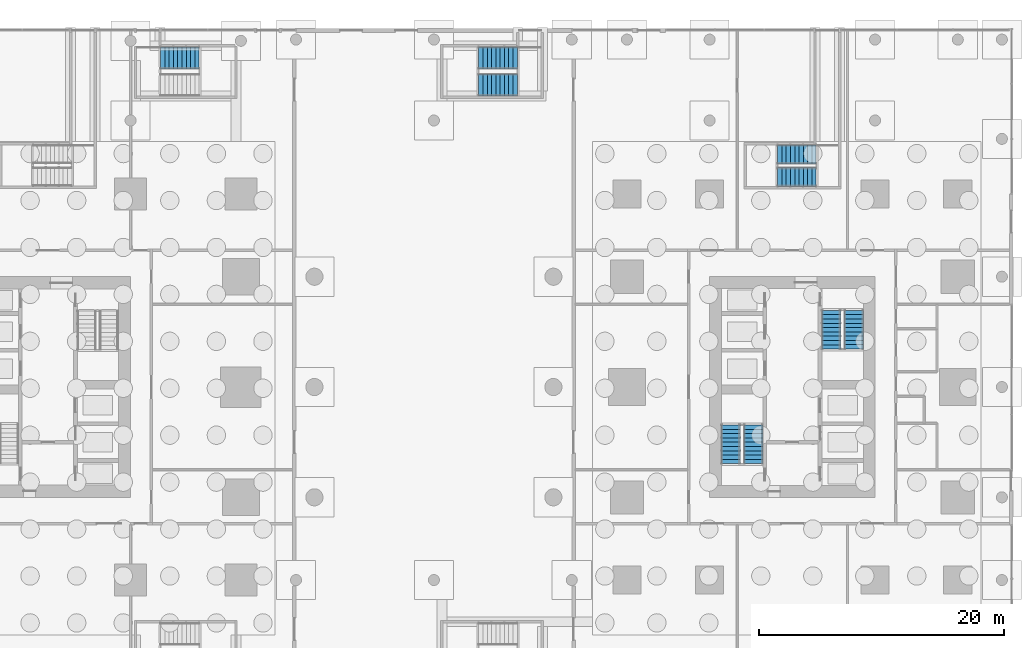
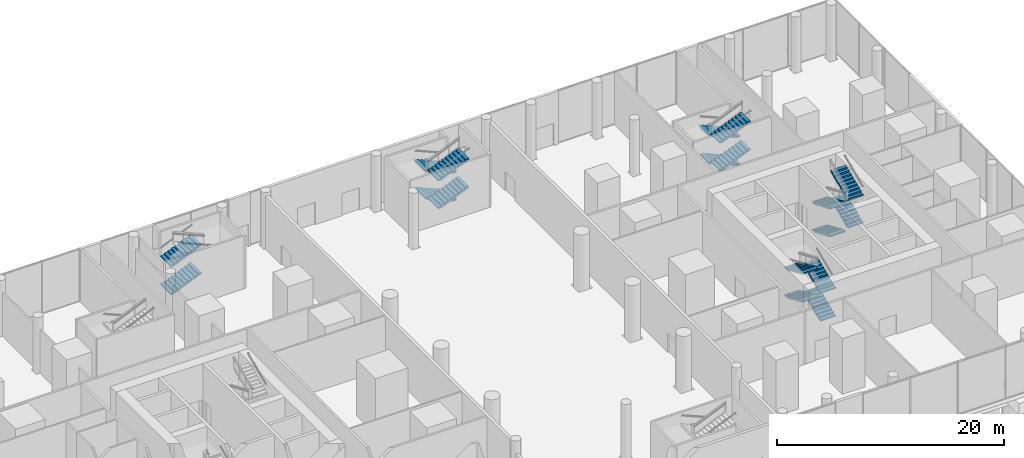
# One storey, part 24 of 31: 18 stair flights, 5 elements without a shape of their own.
"""IFC4 building model written with IfcOpenShell, lengths in metres."""

from ifc_helpers import new_model, si_unit, direction, frame, origin, place, context, subcontext, project, spatial, polyline, outline, extrude, material, type_object, element, aggregate, save


model = new_model("IFC4")

# Units and contexts
model_context = context("Model", 3, precision=1e-05, world=origin(), true_north=direction((0.0, 1.0)))
body_context = subcontext(model_context, "Body", "Model", "MODEL_VIEW")
ifc_project = project(units=[si_unit("LENGTHUNIT", "METRE"), si_unit("AREAUNIT", "SQUARE_METRE"), si_unit("VOLUMEUNIT", "CUBIC_METRE"), si_unit("PLANEANGLEUNIT", "RADIAN"), si_unit("MASSUNIT", "GRAM", prefix="KILO")], contexts=[model_context])

# Site, building, storey
site_placement = place(None, origin())
site = spatial("IfcSite", under=ifc_project, at=site_placement, CompositionType="ELEMENT")
building_placement = place(site_placement, origin())
building = spatial("IfcBuilding", under=site, at=building_placement, Name="Namib Vertical Campus", CompositionType="ELEMENT")
storey_placement = place(building_placement, origin())
storey = spatial("IfcBuildingStorey", under=building, at=storey_placement, Name="L00", CompositionType="ELEMENT", Elevation=0.0)

# Stair, stair flights
ifc_material_1 = material(Name="Concrete C40/50 precast", Category="concrete")
stair_type_1 = type_object("IfcStairType", Name="Exit stair 6000 rise 40 risers 3400 wide", PredefinedType="HALF_TURN_STAIR", material=ifc_material_1)
stair_1_placement = place(storey_placement, origin())
stair_1 = element("IfcStair", 1, at=stair_1_placement, inside=storey, type_object=stair_type_1, Name="Exit stair B-S1 L00", PredefinedType="HALF_TURN_STAIR")
ifc_material_2 = material(Name="Concrete C40/50 precast", Category="concrete")
stair_flight_type_1 = type_object("IfcStairFlightType", Name="Stair flight 10 risers 150 1550 wide", PredefinedType="STRAIGHT", material=ifc_material_2)
stair_flight_1_placement = place(storey_placement, frame((77.824951171875, 14.0, 0.0), z_axis=(0.0, 0.0, 1.0), x_axis=(0.0, 1.0, 0.0)))
stair_flight_1 = element("IfcStairFlight", 2, at=stair_flight_1_placement, type_object=stair_flight_type_1, Name="B-S1 flight 1", NumberOfRisers=10, NumberOfTreads=9, PredefinedType="STRAIGHT", RiserHeight=0.15, TreadLength=0.35, context=body_context, shape_type="SweptSolid", body=[
    extrude(outline(polyline([(0.0, 0.0), (0.0, 0.14990234375), (0.35009765625, 0.14990234375), (0.35009765625, 0.300048828125), (0.699951171875, 0.300048828125), (0.699951171875, 0.449951171875), (1.050048828125, 0.449951171875), (1.050048828125, 0.60009765625), (1.39990234375, 0.60009765625), (1.39990234375, 0.75), (1.75, 0.75), (1.75, 0.89990234375), (2.10009765625, 0.89990234375), (2.10009765625, 1.050048828125), (2.449951171875, 1.050048828125), (2.449951171875, 1.199951171875), (2.800048828125, 1.199951171875), (2.800048828125, 1.35009765625), (3.14990234375, 1.35009765625), (3.14990234375, 1.5), (3.14990234375, 1.18701171875), (0.380615234375, 0.0), (0.0, 0.0)])), frame((0.0, 0.77490234375, 0.0), z_axis=(0.0, -1.0, 0.0), x_axis=(1.0, 0.0, 0.0)), (0.0, 0.0, 1.0), 1.550048828125),
])
stair_flight_2_placement = place(storey_placement, frame((75.97509765625, 17.14990234375, 1.5), z_axis=(0.0, 0.0, 1.0), x_axis=(0.0, -1.0, 0.0)))
stair_flight_2 = element("IfcStairFlight", 3, at=stair_flight_2_placement, type_object=stair_flight_type_1, Name="B-S1 flight 2", NumberOfRisers=10, NumberOfTreads=9, PredefinedType="STRAIGHT", RiserHeight=0.15, TreadLength=0.35, context=body_context, shape_type="SweptSolid", body=[
    extrude(outline(polyline([(0.0, 0.0), (0.0, 0.14990234375), (0.35009765625, 0.14990234375), (0.35009765625, 0.300048828125), (0.699951171875, 0.300048828125), (0.699951171875, 0.449951171875), (1.050048828125, 0.449951171875), (1.050048828125, 0.60009765625), (1.39990234375, 0.60009765625), (1.39990234375, 0.75), (1.75, 0.75), (1.75, 0.89990234375), (2.10009765625, 0.89990234375), (2.10009765625, 1.050048828125), (2.449951171875, 1.050048828125), (2.449951171875, 1.199951171875), (2.800048828125, 1.199951171875), (2.800048828125, 1.35009765625), (3.14990234375, 1.35009765625), (3.14990234375, 1.5), (3.14990234375, 1.18701171875), (0.380615234375, 0.0), (0.0, 0.0)])), frame((0.0, 0.77490234375, 0.0), z_axis=(0.0, -1.0, 0.0), x_axis=(1.0, 0.0, 0.0)), (0.0, 0.0, 1.0), 1.550048828125),
])
stair_flight_3_placement = place(storey_placement, frame((77.824951171875, 14.0, 3.0), z_axis=(0.0, 0.0, 1.0), x_axis=(0.0, 1.0, 0.0)))
stair_flight_3 = element("IfcStairFlight", 4, at=stair_flight_3_placement, type_object=stair_flight_type_1, Name="B-S1 flight 3", NumberOfRisers=10, NumberOfTreads=9, PredefinedType="STRAIGHT", RiserHeight=0.15, TreadLength=0.35, context=body_context, shape_type="SweptSolid", body=[
    extrude(outline(polyline([(0.0, 0.0), (0.0, 0.14990234375), (0.35009765625, 0.14990234375), (0.35009765625, 0.300048828125), (0.699951171875, 0.300048828125), (0.699951171875, 0.449951171875), (1.050048828125, 0.449951171875), (1.050048828125, 0.60009765625), (1.39990234375, 0.60009765625), (1.39990234375, 0.75), (1.75, 0.75), (1.75, 0.89990234375), (2.10009765625, 0.89990234375), (2.10009765625, 1.050048828125), (2.449951171875, 1.050048828125), (2.449951171875, 1.199951171875), (2.800048828125, 1.199951171875), (2.800048828125, 1.35009765625), (3.14990234375, 1.35009765625), (3.14990234375, 1.5), (3.14990234375, 1.18701171875), (0.380615234375, 0.0), (0.0, 0.0)])), frame((0.0, 0.77490234375, 0.0), z_axis=(0.0, -1.0, 0.0), x_axis=(1.0, 0.0, 0.0)), (0.0, 0.0, 1.0), 1.550048828125),
])
stair_flight_4_placement = place(storey_placement, frame((75.97509765625, 17.14990234375, 4.5), z_axis=(0.0, 0.0, 1.0), x_axis=(0.0, -1.0, 0.0)))
stair_flight_4 = element("IfcStairFlight", 5, at=stair_flight_4_placement, type_object=stair_flight_type_1, Name="B-S1 flight 4", NumberOfRisers=10, NumberOfTreads=9, PredefinedType="STRAIGHT", RiserHeight=0.15, TreadLength=0.35, context=body_context, shape_type="SweptSolid", body=[
    extrude(outline(polyline([(0.0, 0.0), (0.0, 0.14990234375), (0.35009765625, 0.14990234375), (0.35009765625, 0.300048828125), (0.699951171875, 0.300048828125), (0.699951171875, 0.449951171875), (1.050048828125, 0.449951171875), (1.050048828125, 0.60009765625), (1.39990234375, 0.60009765625), (1.39990234375, 0.75), (1.75, 0.75), (1.75, 0.89990234375), (2.10009765625, 0.89990234375), (2.10009765625, 1.050048828125), (2.449951171875, 1.050048828125), (2.449951171875, 1.199951171875), (2.800048828125, 1.199951171875), (2.800048828125, 1.35009765625), (3.14990234375, 1.35009765625), (3.14990234375, 1.5), (3.14990234375, 1.18701171875), (0.380615234375, 0.0), (0.0, 0.0)])), frame((0.0, 0.77490234375, 0.0), z_axis=(0.0, -1.0, 0.0), x_axis=(1.0, 0.0, 0.0)), (0.0, 0.0, 1.0), 1.550048828125),
])
aggregate(stair_1, [stair_flight_1, stair_flight_2, stair_flight_3, stair_flight_4])

stair_2_placement = place(storey_placement, origin())
stair_2 = element("IfcStair", 6, at=stair_2_placement, inside=storey, type_object=stair_type_1, Name="Exit stair B-S2 L00", PredefinedType="HALF_TURN_STAIR")
stair_flight_5_placement = place(storey_placement, frame((84.175048828125, 26.5, 0.0), z_axis=(0.0, 0.0, 1.0), x_axis=(0.0, -1.0, 0.0)))
stair_flight_5 = element("IfcStairFlight", 7, at=stair_flight_5_placement, type_object=stair_flight_type_1, Name="B-S2 flight 1", NumberOfRisers=10, NumberOfTreads=9, PredefinedType="STRAIGHT", RiserHeight=0.15, TreadLength=0.35, context=body_context, shape_type="SweptSolid", body=[
    extrude(outline(polyline([(0.0, 0.0), (0.0, 0.14990234375), (0.35009765625, 0.14990234375), (0.35009765625, 0.300048828125), (0.699951171875, 0.300048828125), (0.699951171875, 0.449951171875), (1.050048828125, 0.449951171875), (1.050048828125, 0.60009765625), (1.39990234375, 0.60009765625), (1.39990234375, 0.75), (1.75, 0.75), (1.75, 0.89990234375), (2.10009765625, 0.89990234375), (2.10009765625, 1.050048828125), (2.449951171875, 1.050048828125), (2.449951171875, 1.199951171875), (2.800048828125, 1.199951171875), (2.800048828125, 1.35009765625), (3.14990234375, 1.35009765625), (3.14990234375, 1.5), (3.14990234375, 1.18701171875), (0.380615234375, 0.0), (0.0, 0.0)])), frame((0.0, 0.77490234375, 0.0), z_axis=(0.0, -1.0, 0.0), x_axis=(1.0, 0.0, 0.0)), (0.0, 0.0, 1.0), 1.550048828125),
])
stair_flight_6_placement = place(storey_placement, frame((86.02490234375, 23.35009765625, 1.5), z_axis=(0.0, 0.0, 1.0), x_axis=(0.0, 1.0, 0.0)))
stair_flight_6 = element("IfcStairFlight", 8, at=stair_flight_6_placement, type_object=stair_flight_type_1, Name="B-S2 flight 2", NumberOfRisers=10, NumberOfTreads=9, PredefinedType="STRAIGHT", RiserHeight=0.15, TreadLength=0.35, context=body_context, shape_type="SweptSolid", body=[
    extrude(outline(polyline([(0.0, 0.0), (0.0, 0.14990234375), (0.35009765625, 0.14990234375), (0.35009765625, 0.300048828125), (0.699951171875, 0.300048828125), (0.699951171875, 0.449951171875), (1.050048828125, 0.449951171875), (1.050048828125, 0.60009765625), (1.39990234375, 0.60009765625), (1.39990234375, 0.75), (1.75, 0.75), (1.75, 0.89990234375), (2.10009765625, 0.89990234375), (2.10009765625, 1.050048828125), (2.449951171875, 1.050048828125), (2.449951171875, 1.199951171875), (2.800048828125, 1.199951171875), (2.800048828125, 1.35009765625), (3.14990234375, 1.35009765625), (3.14990234375, 1.5), (3.14990234375, 1.18701171875), (0.380615234375, 0.0), (0.0, 0.0)])), frame((0.0, 0.77490234375, 0.0), z_axis=(0.0, -1.0, 0.0), x_axis=(1.0, 0.0, 0.0)), (0.0, 0.0, 1.0), 1.550048828125),
])
stair_flight_7_placement = place(storey_placement, frame((84.175048828125, 26.5, 3.0), z_axis=(0.0, 0.0, 1.0), x_axis=(0.0, -1.0, 0.0)))
stair_flight_7 = element("IfcStairFlight", 9, at=stair_flight_7_placement, type_object=stair_flight_type_1, Name="B-S2 flight 3", NumberOfRisers=10, NumberOfTreads=9, PredefinedType="STRAIGHT", RiserHeight=0.15, TreadLength=0.35, context=body_context, shape_type="SweptSolid", body=[
    extrude(outline(polyline([(0.0, 0.0), (0.0, 0.14990234375), (0.35009765625, 0.14990234375), (0.35009765625, 0.300048828125), (0.699951171875, 0.300048828125), (0.699951171875, 0.449951171875), (1.050048828125, 0.449951171875), (1.050048828125, 0.60009765625), (1.39990234375, 0.60009765625), (1.39990234375, 0.75), (1.75, 0.75), (1.75, 0.89990234375), (2.10009765625, 0.89990234375), (2.10009765625, 1.050048828125), (2.449951171875, 1.050048828125), (2.449951171875, 1.199951171875), (2.800048828125, 1.199951171875), (2.800048828125, 1.35009765625), (3.14990234375, 1.35009765625), (3.14990234375, 1.5), (3.14990234375, 1.18701171875), (0.380615234375, 0.0), (0.0, 0.0)])), frame((0.0, 0.77490234375, 0.0), z_axis=(0.0, -1.0, 0.0), x_axis=(1.0, 0.0, 0.0)), (0.0, 0.0, 1.0), 1.550048828125),
])
stair_flight_8_placement = place(storey_placement, frame((86.02490234375, 23.35009765625, 4.5), z_axis=(0.0, 0.0, 1.0), x_axis=(0.0, 1.0, 0.0)))
stair_flight_8 = element("IfcStairFlight", 10, at=stair_flight_8_placement, type_object=stair_flight_type_1, Name="B-S2 flight 4", NumberOfRisers=10, NumberOfTreads=9, PredefinedType="STRAIGHT", RiserHeight=0.15, TreadLength=0.35, context=body_context, shape_type="SweptSolid", body=[
    extrude(outline(polyline([(0.0, 0.0), (0.0, 0.14990234375), (0.35009765625, 0.14990234375), (0.35009765625, 0.300048828125), (0.699951171875, 0.300048828125), (0.699951171875, 0.449951171875), (1.050048828125, 0.449951171875), (1.050048828125, 0.60009765625), (1.39990234375, 0.60009765625), (1.39990234375, 0.75), (1.75, 0.75), (1.75, 0.89990234375), (2.10009765625, 0.89990234375), (2.10009765625, 1.050048828125), (2.449951171875, 1.050048828125), (2.449951171875, 1.199951171875), (2.800048828125, 1.199951171875), (2.800048828125, 1.35009765625), (3.14990234375, 1.35009765625), (3.14990234375, 1.5), (3.14990234375, 1.18701171875), (0.380615234375, 0.0), (0.0, 0.0)])), frame((0.0, 0.77490234375, 0.0), z_axis=(0.0, -1.0, 0.0), x_axis=(1.0, 0.0, 0.0)), (0.0, 0.0, 1.0), 1.550048828125),
])
aggregate(stair_2, [stair_flight_5, stair_flight_6, stair_flight_7, stair_flight_8])

stair_3_placement = place(storey_placement, origin())
stair_3 = element("IfcStair", 11, at=stair_3_placement, inside=storey, type_object=stair_type_1, Name="Exit stair B-S3 L00", PredefinedType="HALF_TURN_STAIR")
stair_flight_9_placement = place(storey_placement, frame((82.949951171875, 39.22509765625, 0.0), z_axis=(0.0, 0.0, 1.0), x_axis=(-1.0, 0.0, 0.0)))
stair_flight_9 = element("IfcStairFlight", 12, at=stair_flight_9_placement, type_object=stair_flight_type_1, Name="B-S3 flight 1", NumberOfRisers=10, NumberOfTreads=9, PredefinedType="STRAIGHT", RiserHeight=0.15, TreadLength=0.35, context=body_context, shape_type="SweptSolid", body=[
    extrude(outline(polyline([(0.0, 0.0), (0.0, 0.14990234375), (0.35009765625, 0.14990234375), (0.35009765625, 0.300048828125), (0.699951171875, 0.300048828125), (0.699951171875, 0.449951171875), (1.050048828125, 0.449951171875), (1.050048828125, 0.60009765625), (1.39990234375, 0.60009765625), (1.39990234375, 0.75), (1.75, 0.75), (1.75, 0.89990234375), (2.10009765625, 0.89990234375), (2.10009765625, 1.050048828125), (2.449951171875, 1.050048828125), (2.449951171875, 1.199951171875), (2.800048828125, 1.199951171875), (2.800048828125, 1.35009765625), (3.14990234375, 1.35009765625), (3.14990234375, 1.5), (3.14990234375, 1.18701171875), (0.380615234375, 0.0), (0.0, 0.0)])), frame((0.0, 0.77490234375, 0.0), z_axis=(0.0, -1.0, 0.0), x_axis=(1.0, 0.0, 0.0)), (0.0, 0.0, 1.0), 1.550048828125),
])
stair_flight_10_placement = place(storey_placement, frame((79.800048828125, 37.375, 1.5), z_axis=(0.0, 0.0, 1.0), x_axis=(1.0, 0.0, 0.0)))
stair_flight_10 = element("IfcStairFlight", 13, at=stair_flight_10_placement, type_object=stair_flight_type_1, Name="B-S3 flight 2", NumberOfRisers=10, NumberOfTreads=9, PredefinedType="STRAIGHT", RiserHeight=0.15, TreadLength=0.35, context=body_context, shape_type="SweptSolid", body=[
    extrude(outline(polyline([(0.0, 0.0), (0.0, 0.14990234375), (0.35009765625, 0.14990234375), (0.35009765625, 0.300048828125), (0.699951171875, 0.300048828125), (0.699951171875, 0.449951171875), (1.050048828125, 0.449951171875), (1.050048828125, 0.60009765625), (1.39990234375, 0.60009765625), (1.39990234375, 0.75), (1.75, 0.75), (1.75, 0.89990234375), (2.10009765625, 0.89990234375), (2.10009765625, 1.050048828125), (2.449951171875, 1.050048828125), (2.449951171875, 1.199951171875), (2.800048828125, 1.199951171875), (2.800048828125, 1.35009765625), (3.14990234375, 1.35009765625), (3.14990234375, 1.5), (3.14990234375, 1.18701171875), (0.380615234375, 0.0), (0.0, 0.0)])), frame((0.0, 0.77490234375, 0.0), z_axis=(0.0, -1.0, 0.0), x_axis=(1.0, 0.0, 0.0)), (0.0, 0.0, 1.0), 1.550048828125),
])
stair_flight_11_placement = place(storey_placement, frame((82.949951171875, 39.22509765625, 3.0), z_axis=(0.0, 0.0, 1.0), x_axis=(-1.0, 0.0, 0.0)))
stair_flight_11 = element("IfcStairFlight", 14, at=stair_flight_11_placement, type_object=stair_flight_type_1, Name="B-S3 flight 3", NumberOfRisers=10, NumberOfTreads=9, PredefinedType="STRAIGHT", RiserHeight=0.15, TreadLength=0.35, context=body_context, shape_type="SweptSolid", body=[
    extrude(outline(polyline([(0.0, 0.0), (0.0, 0.14990234375), (0.35009765625, 0.14990234375), (0.35009765625, 0.300048828125), (0.699951171875, 0.300048828125), (0.699951171875, 0.449951171875), (1.050048828125, 0.449951171875), (1.050048828125, 0.60009765625), (1.39990234375, 0.60009765625), (1.39990234375, 0.75), (1.75, 0.75), (1.75, 0.89990234375), (2.10009765625, 0.89990234375), (2.10009765625, 1.050048828125), (2.449951171875, 1.050048828125), (2.449951171875, 1.199951171875), (2.800048828125, 1.199951171875), (2.800048828125, 1.35009765625), (3.14990234375, 1.35009765625), (3.14990234375, 1.5), (3.14990234375, 1.18701171875), (0.380615234375, 0.0), (0.0, 0.0)])), frame((0.0, 0.77490234375, 0.0), z_axis=(0.0, -1.0, 0.0), x_axis=(1.0, 0.0, 0.0)), (0.0, 0.0, 1.0), 1.550048828125),
])
stair_flight_12_placement = place(storey_placement, frame((79.800048828125, 37.375, 4.5), z_axis=(0.0, 0.0, 1.0), x_axis=(1.0, 0.0, 0.0)))
stair_flight_12 = element("IfcStairFlight", 15, at=stair_flight_12_placement, type_object=stair_flight_type_1, Name="B-S3 flight 4", NumberOfRisers=10, NumberOfTreads=9, PredefinedType="STRAIGHT", RiserHeight=0.15, TreadLength=0.35, context=body_context, shape_type="SweptSolid", body=[
    extrude(outline(polyline([(0.0, 0.0), (0.0, 0.14990234375), (0.35009765625, 0.14990234375), (0.35009765625, 0.300048828125), (0.699951171875, 0.300048828125), (0.699951171875, 0.449951171875), (1.050048828125, 0.449951171875), (1.050048828125, 0.60009765625), (1.39990234375, 0.60009765625), (1.39990234375, 0.75), (1.75, 0.75), (1.75, 0.89990234375), (2.10009765625, 0.89990234375), (2.10009765625, 1.050048828125), (2.449951171875, 1.050048828125), (2.449951171875, 1.199951171875), (2.800048828125, 1.199951171875), (2.800048828125, 1.35009765625), (3.14990234375, 1.35009765625), (3.14990234375, 1.5), (3.14990234375, 1.18701171875), (0.380615234375, 0.0), (0.0, 0.0)])), frame((0.0, 0.77490234375, 0.0), z_axis=(0.0, -1.0, 0.0), x_axis=(1.0, 0.0, 0.0)), (0.0, 0.0, 1.0), 1.550048828125),
])
aggregate(stair_3, [stair_flight_9, stair_flight_10, stair_flight_11, stair_flight_12])

ifc_material_3 = material(Name="Concrete C40/50 precast", Category="concrete")
stair_type_2 = type_object("IfcStairType", Name="Podium exit stair 6000 rise 40 risers 1800 flights", PredefinedType="HALF_TURN_STAIR", material=ifc_material_3)
stair_4_placement = place(storey_placement, origin())
stair_4 = element("IfcStair", 16, at=stair_4_placement, inside=storey, type_object=stair_type_2, Name="Exit stair P-S1 L00", PredefinedType="HALF_TURN_STAIR")
ifc_material_4 = material(Name="Concrete C40/50 precast", Category="concrete")
stair_flight_type_2 = type_object("IfcStairFlightType", Name="Stair flight 10 risers 150 1800 wide", PredefinedType="STRAIGHT", material=ifc_material_4)
stair_flight_13_placement = place(storey_placement, frame((29.446044921875, 47.10009765625, 0.0), z_axis=(0.0, 0.0, 1.0), x_axis=(1.0, 0.0, 0.0)))
stair_flight_13 = element("IfcStairFlight", 17, at=stair_flight_13_placement, type_object=stair_flight_type_2, Name="P-S1 flight 1", NumberOfRisers=10, NumberOfTreads=9, PredefinedType="STRAIGHT", RiserHeight=0.15, TreadLength=0.35, context=body_context, shape_type="SweptSolid", body=[
    extrude(outline(polyline([(0.0, 0.0), (0.0, 0.14990234375), (0.35009765625, 0.14990234375), (0.35009765625, 0.300048828125), (0.699951171875, 0.300048828125), (0.699951171875, 0.449951171875), (1.050048828125, 0.449951171875), (1.050048828125, 0.60009765625), (1.39990234375, 0.60009765625), (1.39990234375, 0.75), (1.75, 0.75), (1.75, 0.89990234375), (2.10009765625, 0.89990234375), (2.10009765625, 1.050048828125), (2.449951171875, 1.050048828125), (2.449951171875, 1.199951171875), (2.800048828125, 1.199951171875), (2.800048828125, 1.35009765625), (3.14990234375, 1.35009765625), (3.14990234375, 1.5), (3.14990234375, 1.18701171875), (0.380615234375, 0.0), (0.0, 0.0)])), frame((0.0, 0.89990234375, 0.0), z_axis=(0.0, -1.0, 0.0), x_axis=(1.0, 0.0, 0.0)), (0.0, 0.0, 1.0), 1.800048828125),
])
stair_flight_14_placement = place(storey_placement, frame((29.446044921875, 47.10009765625, 3.0), z_axis=(0.0, 0.0, 1.0), x_axis=(1.0, 0.0, 0.0)))
stair_flight_14 = element("IfcStairFlight", 18, at=stair_flight_14_placement, type_object=stair_flight_type_2, Name="P-S1 flight 3", NumberOfRisers=10, NumberOfTreads=9, PredefinedType="STRAIGHT", RiserHeight=0.15, TreadLength=0.35, context=body_context, shape_type="SweptSolid", body=[
    extrude(outline(polyline([(0.0, 0.0), (0.0, 0.14990234375), (0.35009765625, 0.14990234375), (0.35009765625, 0.300048828125), (0.699951171875, 0.300048828125), (0.699951171875, 0.449951171875), (1.050048828125, 0.449951171875), (1.050048828125, 0.60009765625), (1.39990234375, 0.60009765625), (1.39990234375, 0.75), (1.75, 0.75), (1.75, 0.89990234375), (2.10009765625, 0.89990234375), (2.10009765625, 1.050048828125), (2.449951171875, 1.050048828125), (2.449951171875, 1.199951171875), (2.800048828125, 1.199951171875), (2.800048828125, 1.35009765625), (3.14990234375, 1.35009765625), (3.14990234375, 1.5), (3.14990234375, 1.18701171875), (0.380615234375, 0.0), (0.0, 0.0)])), frame((0.0, 0.89990234375, 0.0), z_axis=(0.0, -1.0, 0.0), x_axis=(1.0, 0.0, 0.0)), (0.0, 0.0, 1.0), 1.800048828125),
])
aggregate(stair_4, [stair_flight_13, stair_flight_14])

stair_5_placement = place(storey_placement, origin())
stair_5 = element("IfcStair", 19, at=stair_5_placement, inside=storey, type_object=stair_type_2, Name="Exit stair P-S3 L00", PredefinedType="HALF_TURN_STAIR")
stair_flight_15_placement = place(storey_placement, frame((58.553955078125, 47.10009765625, 0.0), z_axis=(0.0, 0.0, 1.0), x_axis=(-1.0, 0.0, 0.0)))
stair_flight_15 = element("IfcStairFlight", 20, at=stair_flight_15_placement, type_object=stair_flight_type_2, Name="P-S3 flight 1", NumberOfRisers=10, NumberOfTreads=9, PredefinedType="STRAIGHT", RiserHeight=0.15, TreadLength=0.35, context=body_context, shape_type="SweptSolid", body=[
    extrude(outline(polyline([(0.0, 0.0), (0.0, 0.14990234375), (0.35009765625, 0.14990234375), (0.35009765625, 0.300048828125), (0.699951171875, 0.300048828125), (0.699951171875, 0.449951171875), (1.050048828125, 0.449951171875), (1.050048828125, 0.60009765625), (1.39990234375, 0.60009765625), (1.39990234375, 0.75), (1.75, 0.75), (1.75, 0.89990234375), (2.10009765625, 0.89990234375), (2.10009765625, 1.050048828125), (2.449951171875, 1.050048828125), (2.449951171875, 1.199951171875), (2.800048828125, 1.199951171875), (2.800048828125, 1.35009765625), (3.14990234375, 1.35009765625), (3.14990234375, 1.5), (3.14990234375, 1.18701171875), (0.380615234375, 0.0), (0.0, 0.0)])), frame((0.0, 0.89990234375, 0.0), z_axis=(0.0, -1.0, 0.0), x_axis=(1.0, 0.0, 0.0)), (0.0, 0.0, 1.0), 1.800048828125),
])
stair_flight_16_placement = place(storey_placement, frame((55.40380859375, 44.89990234375, 1.5), z_axis=(0.0, 0.0, 1.0), x_axis=(1.0, 0.0, 0.0)))
stair_flight_16 = element("IfcStairFlight", 21, at=stair_flight_16_placement, type_object=stair_flight_type_2, Name="P-S3 flight 2", NumberOfRisers=10, NumberOfTreads=9, PredefinedType="STRAIGHT", RiserHeight=0.15, TreadLength=0.35, context=body_context, shape_type="SweptSolid", body=[
    extrude(outline(polyline([(0.0, 0.0), (0.0, 0.14990234375), (0.35009765625, 0.14990234375), (0.35009765625, 0.300048828125), (0.699951171875, 0.300048828125), (0.699951171875, 0.449951171875), (1.050048828125, 0.449951171875), (1.050048828125, 0.60009765625), (1.39990234375, 0.60009765625), (1.39990234375, 0.75), (1.75, 0.75), (1.75, 0.89990234375), (2.10009765625, 0.89990234375), (2.10009765625, 1.050048828125), (2.449951171875, 1.050048828125), (2.449951171875, 1.199951171875), (2.800048828125, 1.199951171875), (2.800048828125, 1.35009765625), (3.14990234375, 1.35009765625), (3.14990234375, 1.5), (3.14990234375, 1.18701171875), (0.380615234375, 0.0), (0.0, 0.0)])), frame((0.0, 0.89990234375, 0.0), z_axis=(0.0, -1.0, 0.0), x_axis=(1.0, 0.0, 0.0)), (0.0, 0.0, 1.0), 1.800048828125),
])
stair_flight_17_placement = place(storey_placement, frame((58.553955078125, 47.10009765625, 3.0), z_axis=(0.0, 0.0, 1.0), x_axis=(-1.0, 0.0, 0.0)))
stair_flight_17 = element("IfcStairFlight", 22, at=stair_flight_17_placement, type_object=stair_flight_type_2, Name="P-S3 flight 3", NumberOfRisers=10, NumberOfTreads=9, PredefinedType="STRAIGHT", RiserHeight=0.15, TreadLength=0.35, context=body_context, shape_type="SweptSolid", body=[
    extrude(outline(polyline([(0.0, 0.0), (0.0, 0.14990234375), (0.35009765625, 0.14990234375), (0.35009765625, 0.300048828125), (0.699951171875, 0.300048828125), (0.699951171875, 0.449951171875), (1.050048828125, 0.449951171875), (1.050048828125, 0.60009765625), (1.39990234375, 0.60009765625), (1.39990234375, 0.75), (1.75, 0.75), (1.75, 0.89990234375), (2.10009765625, 0.89990234375), (2.10009765625, 1.050048828125), (2.449951171875, 1.050048828125), (2.449951171875, 1.199951171875), (2.800048828125, 1.199951171875), (2.800048828125, 1.35009765625), (3.14990234375, 1.35009765625), (3.14990234375, 1.5), (3.14990234375, 1.18701171875), (0.380615234375, 0.0), (0.0, 0.0)])), frame((0.0, 0.89990234375, 0.0), z_axis=(0.0, -1.0, 0.0), x_axis=(1.0, 0.0, 0.0)), (0.0, 0.0, 1.0), 1.800048828125),
])
stair_flight_18_placement = place(storey_placement, frame((55.40380859375, 44.89990234375, 4.5), z_axis=(0.0, 0.0, 1.0), x_axis=(1.0, 0.0, 0.0)))
stair_flight_18 = element("IfcStairFlight", 23, at=stair_flight_18_placement, type_object=stair_flight_type_2, Name="P-S3 flight 4", NumberOfRisers=10, NumberOfTreads=9, PredefinedType="STRAIGHT", RiserHeight=0.15, TreadLength=0.35, context=body_context, shape_type="SweptSolid", body=[
    extrude(outline(polyline([(0.0, 0.0), (0.0, 0.14990234375), (0.35009765625, 0.14990234375), (0.35009765625, 0.300048828125), (0.699951171875, 0.300048828125), (0.699951171875, 0.449951171875), (1.050048828125, 0.449951171875), (1.050048828125, 0.60009765625), (1.39990234375, 0.60009765625), (1.39990234375, 0.75), (1.75, 0.75), (1.75, 0.89990234375), (2.10009765625, 0.89990234375), (2.10009765625, 1.050048828125), (2.449951171875, 1.050048828125), (2.449951171875, 1.199951171875), (2.800048828125, 1.199951171875), (2.800048828125, 1.35009765625), (3.14990234375, 1.35009765625), (3.14990234375, 1.5), (3.14990234375, 1.18701171875), (0.380615234375, 0.0), (0.0, 0.0)])), frame((0.0, 0.89990234375, 0.0), z_axis=(0.0, -1.0, 0.0), x_axis=(1.0, 0.0, 0.0)), (0.0, 0.0, 1.0), 1.800048828125),
])
aggregate(stair_5, [stair_flight_15, stair_flight_16, stair_flight_17, stair_flight_18])

save(model, "model.ifc")
